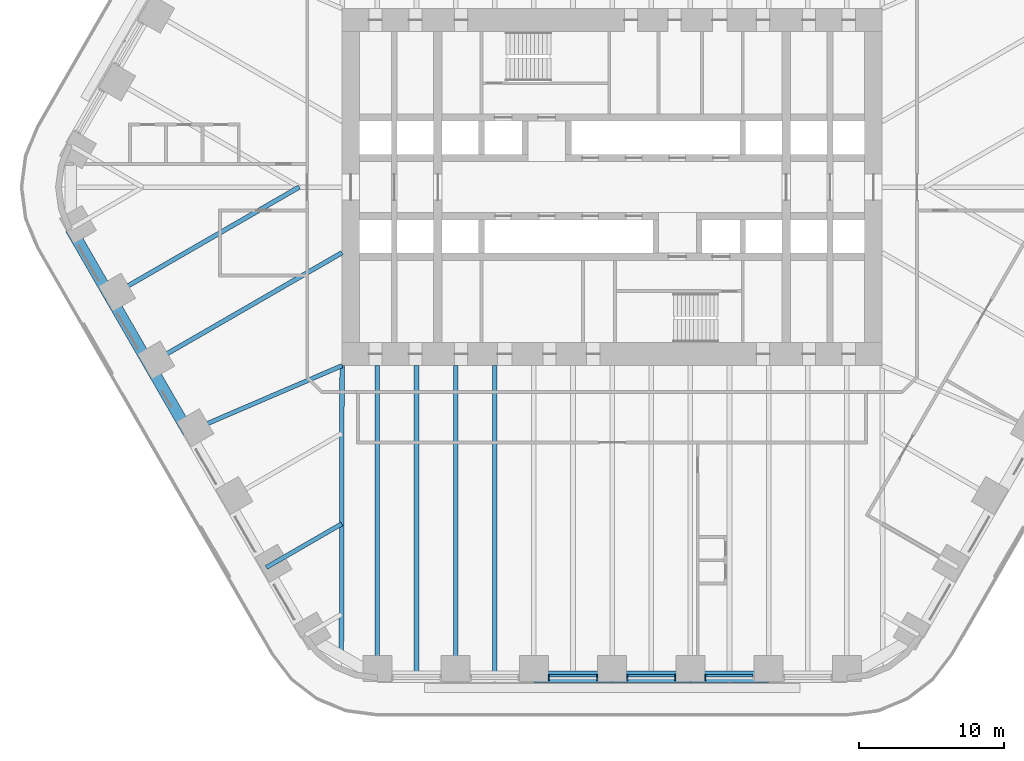
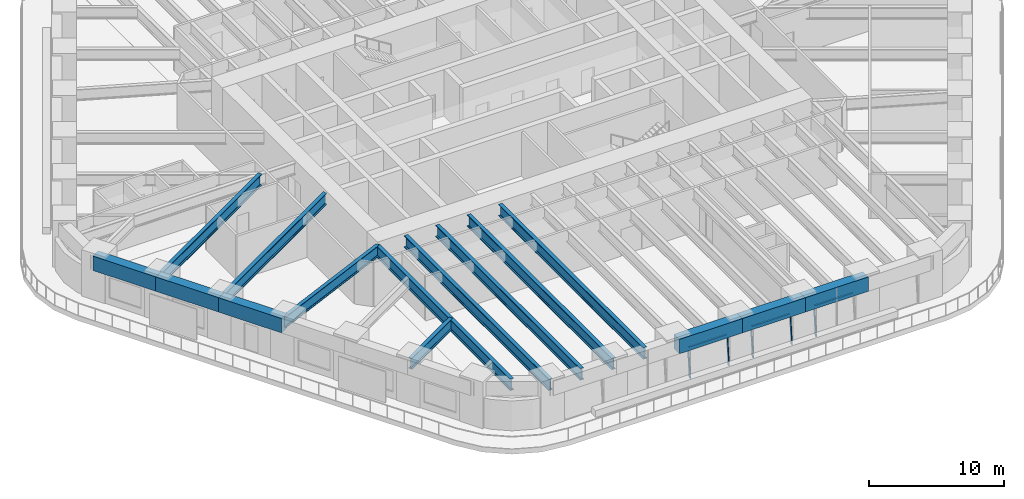
# One storey, part 3 of 23: 15 beams, 8 members, 3 elements without a shape of their own.
"""IFC4 building model written with IfcOpenShell, lengths in metres."""

from ifc_helpers import new_model, si_unit, direction, frame, origin, origin_2d, place, context, subcontext, project, spatial, rectangle, i_section, extrude, material, material_profile, profile_set, type_object, element, aggregate, save


model = new_model("IFC4")

# Units and contexts
model_context = context("Model", 3, precision=1e-05, world=origin(), true_north=direction((0.0, 1.0)))
body_context = subcontext(model_context, "Body", "Model", "MODEL_VIEW")
ifc_project = project(units=[si_unit("LENGTHUNIT", "METRE"), si_unit("AREAUNIT", "SQUARE_METRE"), si_unit("VOLUMEUNIT", "CUBIC_METRE"), si_unit("PLANEANGLEUNIT", "RADIAN"), si_unit("MASSUNIT", "GRAM", prefix="KILO")], contexts=[model_context])

# Site, building, storey
site_placement = place(None, origin())
site = spatial("IfcSite", under=ifc_project, at=site_placement, CompositionType="ELEMENT")
building_placement = place(site_placement, origin())
building = spatial("IfcBuilding", under=site, at=building_placement, Name="Tarfa Lantern Tower", CompositionType="ELEMENT")
storey_placement = place(building_placement, frame((0.0, 0.0, 61.300048828125)))
storey = spatial("IfcBuildingStorey", under=building, at=storey_placement, Name="L13", CompositionType="ELEMENT", Elevation=61.300048828125)

# Curtain wall, members
ifc_material_1 = material(Name="Aluminium framed curtain wall", Category="aluminium")
curtain_wall_type = type_object("IfcCurtainWallType", Name="CW1 CANTED GLAZING LOW ZONE 2700", PredefinedType="USERDEFINED", material=ifc_material_1)
curtain_wall_1_placement = place(storey_placement, origin())
curtain_wall_1 = element("IfcCurtainWall", 1, at=curtain_wall_1_placement, inside=storey, type_object=curtain_wall_type, Name="CW1 S L13", ObjectType="CURTAIN WALL", PredefinedType="USERDEFINED")
ifc_material_2 = material(Name="Aluminium mullion", Category="aluminium")
ifc_material_profile_1 = material_profile(ifc_material_2, rectangle(XDim=0.06494140625, YDim=0.199951171875, at=origin_2d()), Name="AL MULLION 65x200")
ifc_profile_set_1 = profile_set([ifc_material_profile_1], Name="Aluminium mullion")
member_type_1 = type_object("IfcMemberType", Name="CWM1 MULLION 65x200", PredefinedType="MULLION", material=ifc_profile_set_1)
member_1_placement = place(storey_placement, frame((-4.356201171875, -33.89990234375, 0.0), z_axis=(0.0, 0.092199863775, 0.995740520979), x_axis=(-1.0, 0.0, 0.0)))
member_1 = element("IfcMember", 2, at=member_1_placement, type_object=member_type_1, Name="CW1 mullion 1", PredefinedType="MULLION", context=body_context, shape_type="SweptSolid", body=[
    extrude(rectangle(XDim=0.06494140625, YDim=0.199951171875, at=origin_2d()), origin(), (0.0, 0.0, 1.0), 2.71142578125),
])
member_2_placement = place(storey_placement, frame((-1.032470703125, -33.89990234375, 0.0), z_axis=(0.0, 0.092199863775, 0.995740520979), x_axis=(-1.0, 0.0, 0.0)))
member_2 = element("IfcMember", 3, at=member_2_placement, type_object=member_type_1, Name="CW1 mullion 2", PredefinedType="MULLION", context=body_context, shape_type="SweptSolid", body=[
    extrude(rectangle(XDim=0.06494140625, YDim=0.199951171875, at=origin_2d()), origin(), (0.0, 0.0, 1.0), 2.71142578125),
])

curtain_wall_2_placement = place(storey_placement, origin())
curtain_wall_2 = element("IfcCurtainWall", 4, at=curtain_wall_2_placement, inside=storey, type_object=curtain_wall_type, Name="CW1 S L13", ObjectType="CURTAIN WALL", PredefinedType="USERDEFINED")
member_3_placement = place(storey_placement, frame((1.032470703125, -33.89990234375, 0.0), z_axis=(0.0, 0.092199863775, 0.995740520979), x_axis=(-1.0, 0.0, 0.0)))
member_3 = element("IfcMember", 5, at=member_3_placement, type_object=member_type_1, Name="CW1 mullion 1", PredefinedType="MULLION", context=body_context, shape_type="SweptSolid", body=[
    extrude(rectangle(XDim=0.06494140625, YDim=0.199951171875, at=origin_2d()), origin(), (0.0, 0.0, 1.0), 2.71142578125),
])
member_4_placement = place(storey_placement, frame((4.356201171875, -33.89990234375, 0.0), z_axis=(0.0, 0.092199863775, 0.995740520979), x_axis=(-1.0, 0.0, 0.0)))
member_4 = element("IfcMember", 6, at=member_4_placement, type_object=member_type_1, Name="CW1 mullion 2", PredefinedType="MULLION", context=body_context, shape_type="SweptSolid", body=[
    extrude(rectangle(XDim=0.06494140625, YDim=0.199951171875, at=origin_2d()), origin(), (0.0, 0.0, 1.0), 2.71142578125),
])

# Curtain wall, member
curtain_wall_3_placement = place(storey_placement, origin())
curtain_wall_3 = element("IfcCurtainWall", 7, at=curtain_wall_3_placement, inside=storey, type_object=curtain_wall_type, Name="CW1 S L13", ObjectType="CURTAIN WALL", PredefinedType="USERDEFINED")
member_5_placement = place(storey_placement, frame((6.421142578125, -33.89990234375, 0.0), z_axis=(0.0, 0.092199863775, 0.995740520979), x_axis=(-1.0, 0.0, 0.0)))
member_5 = element("IfcMember", 8, at=member_5_placement, type_object=member_type_1, Name="CW1 mullion 1", PredefinedType="MULLION", context=body_context, shape_type="SweptSolid", body=[
    extrude(rectangle(XDim=0.06494140625, YDim=0.199951171875, at=origin_2d()), origin(), (0.0, 0.0, 1.0), 2.71142578125),
])

# Member
ifc_material_3 = material(Name="Aluminium transom", Category="aluminium")
ifc_material_profile_2 = material_profile(ifc_material_3, rectangle(XDim=0.14990234375, YDim=0.06494140625, at=origin_2d()), Name="AL TRANSOM 150x65")
ifc_profile_set_2 = profile_set([ifc_material_profile_2], Name="Aluminium transom")
member_type_2 = type_object("IfcMemberType", Name="CWT1 TRANSOM 150x65", PredefinedType="USERDEFINED", material=ifc_profile_set_2)
member_6_placement = place(storey_placement, frame((-4.323486328125, -33.653076171875, 2.66748046875), z_axis=(1.0, 0.0, 0.0), x_axis=(0.0, 1.0, 0.0)))
member_6 = element("IfcMember", 9, at=member_6_placement, type_object=member_type_2, Name="CW1 transom 1.2", ObjectType="TRANSOM", PredefinedType="USERDEFINED", context=body_context, shape_type="SweptSolid", body=[
    extrude(rectangle(XDim=0.14990234375, YDim=0.06494140625, at=origin_2d()), origin(), (0.0, 0.0, 1.0), 3.258544921875),
])

aggregate(curtain_wall_1, [member_1, member_2, member_6])

member_7_placement = place(storey_placement, frame((1.06494140625, -33.653076171875, 2.66748046875), z_axis=(1.0, 0.0, 0.0), x_axis=(0.0, 1.0, 0.0)))
member_7 = element("IfcMember", 10, at=member_7_placement, type_object=member_type_2, Name="CW1 transom 1.2", ObjectType="TRANSOM", PredefinedType="USERDEFINED", context=body_context, shape_type="SweptSolid", body=[
    extrude(rectangle(XDim=0.14990234375, YDim=0.06494140625, at=origin_2d()), origin(), (0.0, 0.0, 1.0), 3.258544921875),
])

aggregate(curtain_wall_2, [member_3, member_4, member_7])

member_8_placement = place(storey_placement, frame((6.45361328125, -33.653076171875, 2.66748046875), z_axis=(1.0, 0.0, 0.0), x_axis=(0.0, 1.0, 0.0)))
member_8 = element("IfcMember", 11, at=member_8_placement, type_object=member_type_2, Name="CW1 transom 1.2", ObjectType="TRANSOM", PredefinedType="USERDEFINED", context=body_context, shape_type="SweptSolid", body=[
    extrude(rectangle(XDim=0.14990234375, YDim=0.06494140625, at=origin_2d()), origin(), (0.0, 0.0, 1.0), 3.258544921875),
])

aggregate(curtain_wall_3, [member_5, member_8])

# Beams
ifc_material_4 = material(Name="Concrete C80/95", Category="concrete")
ifc_material_profile_3 = material_profile(ifc_material_4, rectangle(XDim=0.800048828125, YDim=1.300048828125, at=origin_2d()), Name="RC 800x1300")
ifc_profile_set_3 = profile_set([ifc_material_profile_3], Name="Concrete C80/95")
beam_type_1 = type_object("IfcBeamType", Name="EB1 RC 800x1300", PredefinedType="SPANDREL", material=ifc_profile_set_3)
beam_1_placement = place(storey_placement, frame((-37.285400390625, -2.860107421875, 3.349853515625), z_axis=(0.500017906299, -0.866015065331, 0.0), x_axis=(0.866015065331, 0.500017906299, 0.0)))
element("IfcBeam", 12, at=beam_1_placement, inside=storey, type_object=beam_type_1, Name="Edge beam SW0", PredefinedType="SPANDREL", context=body_context, shape_type="SweptSolid", body=[
    extrude(rectangle(XDim=0.800048828125, YDim=1.300048828125, at=origin_2d()), origin(), (0.0, 0.0, 1.0), 5.388427734375),
])
for number, where, z_axis, x_axis, name in (
    (13, (-34.591064453125, -7.526611328125, 3.349853515625), (0.499998287579, -0.866026392449, 0.0), (0.866026392449, 0.499998287579, 0.0), "Edge beam SW1"),
    (14, (-31.896728515625, -12.193359375, 3.349853515625), (0.499998287579, -0.866026392449, 0.0), (0.866026392449, 0.499998287579, 0.0), "Edge beam SW2"),
    (15, (-5.388671875, -33.719970703125, 3.349853515625), (1.0, 0.0, 0.0), (0.0, 1.0, 0.0), "Edge beam S2"),
    (16, (0.0, -33.719970703125, 3.349853515625), (1.0, 0.0, 0.0), (0.0, 1.0, 0.0), "Edge beam S3"),
):
    element("IfcBeam", number, at=place(storey_placement, frame(where, z_axis=z_axis, x_axis=x_axis)), inside=storey, type_object=beam_type_1, Name=name, PredefinedType="SPANDREL", context=body_context, shape_type="SweptSolid", body=[
        extrude(rectangle(XDim=0.800048828125, YDim=1.300048828125, at=origin_2d()), origin(), (0.0, 0.0, 1.0), 5.388671875),
    ])
beam_2_placement = place(storey_placement, frame((5.388671875, -33.719970703125, 3.349853515625), z_axis=(1.0, 0.0, 0.0), x_axis=(0.0, 1.0, 0.0)))
element("IfcBeam", 17, at=beam_2_placement, inside=storey, type_object=beam_type_1, Name="Edge beam S4", PredefinedType="SPANDREL", context=body_context, shape_type="SweptSolid", body=[
    extrude(rectangle(XDim=0.800048828125, YDim=1.300048828125, at=origin_2d()), origin(), (0.0, 0.0, 1.0), 5.388427734375),
])
ifc_material_5 = material(Name="Steel S460M", Category="steel")
ifc_material_profile_4 = material_profile(ifc_material_5, i_section(OverallWidth=0.302001953125, OverallDepth=1.008056640625, WebThickness=0.02099609375, FlangeThickness=0.0400390625, FilletRadius=0.030029296875, at=origin_2d()), Name="UB1016x305x349")
ifc_profile_set_4 = profile_set([ifc_material_profile_4], Name="Steel S460M")
beam_type_2 = type_object("IfcBeamType", Name="UB1016x305x349", PredefinedType="BEAM", material=ifc_profile_set_4)
beam_3_placement = place(storey_placement, frame((-29.202392578125, -16.860107421875, 3.495849609375), z_axis=(0.918635483867, 0.395106122175, 0.0), x_axis=(-0.395106122175, 0.918635483867, 0.0)))
element("IfcBeam", 18, at=beam_3_placement, inside=storey, type_object=beam_type_2, Name="Floor beam SW3", PredefinedType="BEAM", context=body_context, shape_type="SweptSolid", body=[
    extrude(i_section(OverallWidth=0.302001953125, OverallDepth=1.008056640625, WebThickness=0.02099609375, FlangeThickness=0.0400390625, FilletRadius=0.030029296875, at=origin_2d()), origin(), (0.0, 0.0, 1.0), 11.541259765625),
])
beam_4_placement = place(storey_placement, frame((-23.813720703125, -26.193359375, 3.495849609375), z_axis=(0.866015997389, 0.500016292001, 0.0), x_axis=(-0.500016292001, 0.866015997389, 0.0)))
element("IfcBeam", 19, at=beam_4_placement, inside=storey, type_object=beam_type_2, Name="Floor beam SW5", PredefinedType="BEAM", context=body_context, shape_type="SweptSolid", body=[
    extrude(i_section(OverallWidth=0.302001953125, OverallDepth=1.008056640625, WebThickness=0.02099609375, FlangeThickness=0.0400390625, FilletRadius=0.030029296875, at=origin_2d()), origin(), (0.0, 0.0, 1.0), 5.993408203125),
])
ifc_material_profile_5 = material_profile(ifc_material_5, i_section(OverallWidth=0.314208984375, OverallDepth=1.055908203125, WebThickness=0.035888671875, FlangeThickness=0.06396484375, FilletRadius=0.030029296875, at=origin_2d()), Name="UB1016x305x584")
ifc_profile_set_5 = profile_set([ifc_material_profile_5], Name="Steel S460M")
beam_type_3 = type_object("IfcBeamType", Name="UB1016x305x584", PredefinedType="BEAM", material=ifc_profile_set_5)
beam_5_placement = place(storey_placement, frame((-18.60009765625, -12.300048828125, 3.471923828125), z_axis=(-0.00212508222, -0.99999774201, 0.0), x_axis=(0.99999774201, -0.00212508222, 0.0)))
element("IfcBeam", 20, at=beam_5_placement, inside=storey, type_object=beam_type_3, Name="Hip girder SW", PredefinedType="BEAM", context=body_context, shape_type="SweptSolid", body=[
    extrude(i_section(OverallWidth=0.314208984375, OverallDepth=1.055908203125, WebThickness=0.035888671875, FlangeThickness=0.06396484375, FilletRadius=0.030029296875, at=origin_2d()), origin(), (0.0, 0.0, 1.0), 19.989990234375),
])
beam_6_placement = place(storey_placement, frame((-34.591064453125, -7.526611328125, 3.471923828125), z_axis=(0.86602785945, 0.499995746638, 0.0), x_axis=(-0.499995746638, 0.86602785945, 0.0)))
element("IfcBeam", 21, at=beam_6_placement, inside=storey, type_object=beam_type_3, Name="Floor beam SW1", PredefinedType="BEAM", context=body_context, shape_type="SweptSolid", body=[
    extrude(i_section(OverallWidth=0.314208984375, OverallDepth=1.055908203125, WebThickness=0.035888671875, FlangeThickness=0.06396484375, FilletRadius=0.030029296875, at=origin_2d()), origin(), (0.0, 0.0, 1.0), 15.053466796875),
])
beam_7_placement = place(storey_placement, frame((-31.896728515625, -12.193359375, 3.471923828125), z_axis=(0.866026971665, 0.499997284341, 0.0), x_axis=(-0.499997284341, 0.866026971665, 0.0)))
element("IfcBeam", 22, at=beam_7_placement, inside=storey, type_object=beam_type_3, Name="Floor beam SW2", PredefinedType="BEAM", context=body_context, shape_type="SweptSolid", body=[
    extrude(i_section(OverallWidth=0.314208984375, OverallDepth=1.055908203125, WebThickness=0.035888671875, FlangeThickness=0.06396484375, FilletRadius=0.030029296875, at=origin_2d()), origin(), (0.0, 0.0, 1.0), 15.353515625),
])
for number, where, z_axis, x_axis, name in (
    (23, (-16.165771484375, -33.719970703125, 3.471923828125), (0.0, 1.0, 0.0), (-1.0, 0.0, 0.0), "Floor beam S0"),
    (24, (-10.777099609375, -33.719970703125, 3.471923828125), (0.0, 1.0, 0.0), (-1.0, 0.0, 0.0), "Floor beam S1"),
    (25, (-13.471435546875, -33.719970703125, 3.471923828125), (0.0, 1.0, 0.0), (-1.0, 0.0, 0.0), "Floor beam S0M"),
    (26, (-8.0830078125, -33.719970703125, 3.471923828125), (0.0, 1.0, 0.0), (-1.0, 0.0, 0.0), "Floor beam S1M"),
):
    element("IfcBeam", number, at=place(storey_placement, frame(where, z_axis=z_axis, x_axis=x_axis)), inside=storey, type_object=beam_type_3, Name=name, PredefinedType="BEAM", context=body_context, shape_type="SweptSolid", body=[
        extrude(i_section(OverallWidth=0.314208984375, OverallDepth=1.055908203125, WebThickness=0.035888671875, FlangeThickness=0.06396484375, FilletRadius=0.030029296875, at=origin_2d()), origin(), (0.0, 0.0, 1.0), 21.419921875),
    ])

save(model, "model.ifc")
